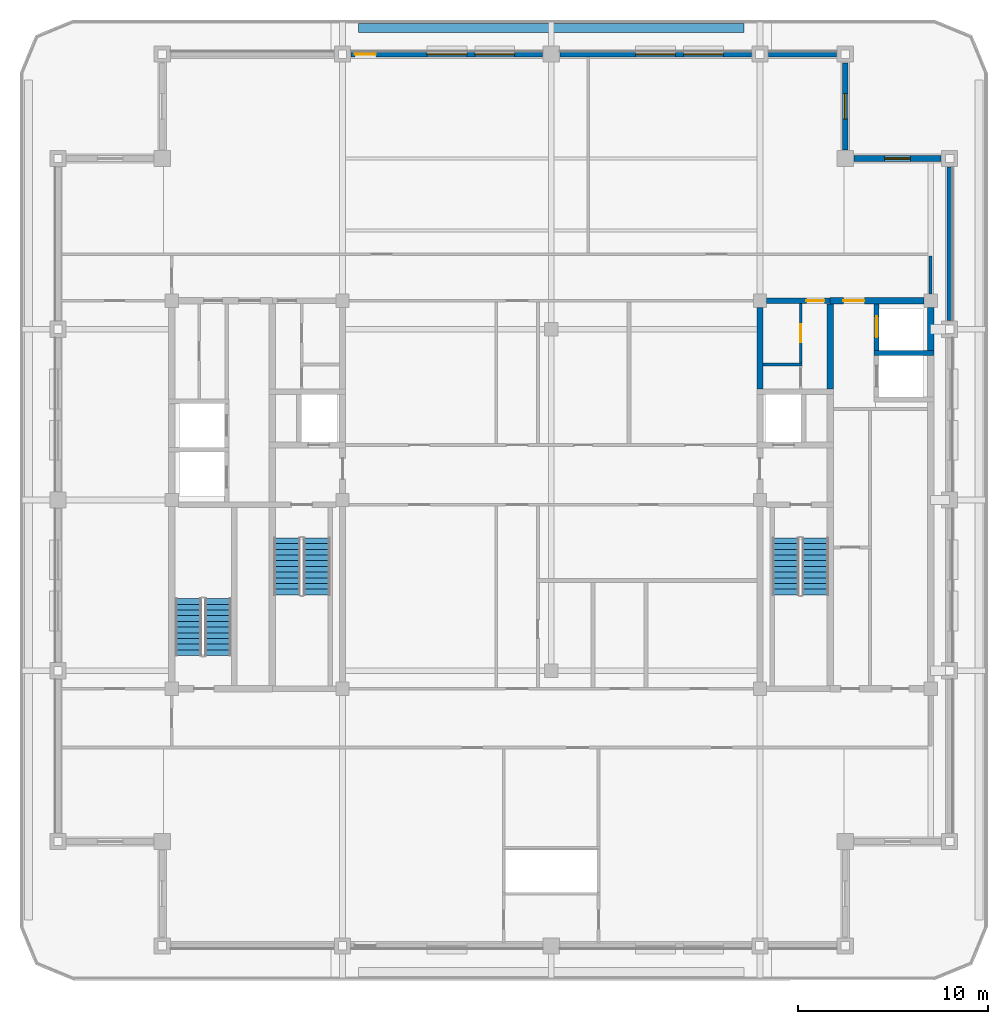
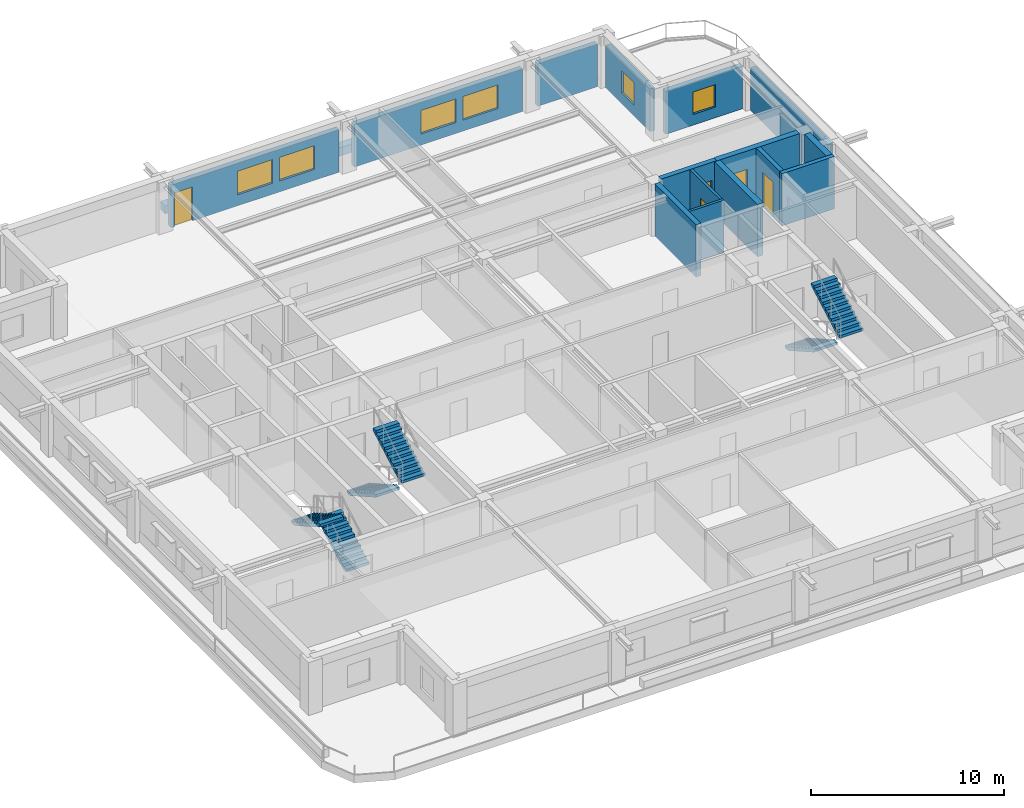
# One storey, part 6 of 11: 17 walls, 6 stair flights, 6 windows, 5 doors, 11 openings, 3 elements without a shape of their own.
"""IFC4 building model written with IfcOpenShell, lengths in metres."""

from ifc_helpers import new_model, si_unit, direction, frame, frame_2d, origin, place, context, subcontext, project, spatial, polyline, rectangle, outline, extrude, material, layer, layer_set, type_object, element, fill, aggregate, save


model = new_model("IFC4")

# Units and contexts
model_context = context("Model", 3, precision=1e-05, world=origin(), true_north=direction((0.0, 1.0)))
body_context = subcontext(model_context, "Body", "Model", "MODEL_VIEW")
ifc_project = project(units=[si_unit("LENGTHUNIT", "METRE"), si_unit("AREAUNIT", "SQUARE_METRE"), si_unit("VOLUMEUNIT", "CUBIC_METRE"), si_unit("PLANEANGLEUNIT", "RADIAN"), si_unit("MASSUNIT", "GRAM", prefix="KILO")], contexts=[model_context])

# Site, building, storey
site_placement = place(None, origin())
site = spatial("IfcSite", under=ifc_project, at=site_placement, CompositionType="ELEMENT")
building_placement = place(site_placement, origin())
building = spatial("IfcBuilding", under=site, at=building_placement, Name="Zulmaris Gate Convention Tower", CompositionType="ELEMENT")
storey_placement = place(building_placement, frame((0.0, 0.0, 274.320068359375)))
storey = spatial("IfcBuildingStorey", under=building, at=storey_placement, Name="L73", CompositionType="ELEMENT", Elevation=274.320068359375)

# Wall
ifc_material_1 = material(Name="Concrete C50/60", Category="concrete")
ifc_layer_1 = layer(ifc_material_1, 0.25, Name="Concrete C50/60")
ifc_layer_set_1 = layer_set([ifc_layer_1], Name="Concrete C50/60")
wall_type_1 = type_object("IfcWallType", Name="CORE-250", PredefinedType="SOLIDWALL", material=ifc_layer_set_1)
wall_1_placement = place(storey_placement, frame((17.02490234375, 7.75, 0.0), z_axis=(0.0, 0.0, 1.0), x_axis=(1.0, 0.0, 0.0)))
element("IfcWall", 1, at=wall_1_placement, inside=storey, type_object=wall_type_1, Name="WL-L73-014", PredefinedType="SOLIDWALL", context=body_context, shape_type="SweptSolid", body=[
    extrude(rectangle(XDim=3.150146484375, YDim=0.25, at=frame_2d((1.5751953125, 0.0))), origin(), (0.0, 0.0, 1.0), 3.31494140625),
])

# Wall, opening, door
wall_2_placement = place(storey_placement, frame((17.14990234375, 7.876953125, 0.0), z_axis=(0.0, 0.0, 1.0), x_axis=(0.0, 1.0, 0.0)))
wall_2 = element("IfcWall", 2, at=wall_2_placement, inside=storey, type_object=wall_type_1, Name="WL-L73-062", PredefinedType="SOLIDWALL", context=body_context, shape_type="SweptSolid", body=[
    extrude(rectangle(XDim=2.446044921875, YDim=0.25, at=frame_2d((1.22314453125, 0.0))), origin(), (0.0, 0.0, 1.0), 3.31494140625),
])
opening_1_placement = place(wall_2_placement, frame((0.697998046875, 0.0, 0.0)))
opening_1 = element("IfcOpeningElement", 3, at=opening_1_placement, cuts=wall_2, Name="Opening D-06", PredefinedType="OPENING", context=body_context, shape_type="SweptSolid", body=[
    extrude(rectangle(XDim=1.10009765625, YDim=2.199951171875, at=frame_2d((0.550048828125, 1.10009765625))), frame((0.0, 0.135009765625, 0.0), z_axis=(0.0, -1.0, 0.0), x_axis=(1.0, 0.0, 0.0)), (0.0, 0.0, 1.0), 0.27001953125),
])
ifc_material_2 = material(Name="Brushed Stainless Steel", Category="steel")
door_type_1 = type_object("IfcDoorType", Name="LD-1100", OperationType="NOTDEFINED", PredefinedType="DOOR", material=ifc_material_2)
door_1_placement = place(opening_1_placement, origin())
door_1 = element("IfcDoor", 4, at=door_1_placement, inside=storey, type_object=door_type_1, Name="L73 Lift Landing Door HP-02 20", OperationType="SLIDING_TO_RIGHT", OverallHeight=2.199951171875, OverallWidth=1.10009765625, PredefinedType="DOOR", context=body_context, shape_type="SweptSolid", body=[
    extrude(rectangle(XDim=1.10009765625, YDim=2.199951171875, at=frame_2d((0.550048828125, 1.10009765625))), frame((0.0, 0.02490234375, 0.0), z_axis=(0.0, -1.0, 0.0), x_axis=(1.0, 0.0, 0.0)), (0.0, 0.0, 1.0), 0.050048828125),
])
fill(opening_1, door_1)

ifc_layer_2 = layer(ifc_material_1, 0.300048828125, Name="Concrete C50/60")
ifc_layer_set_2 = layer_set([ifc_layer_2], Name="Concrete C50/60")
wall_type_2 = type_object("IfcWallType", Name="CORE-300", PredefinedType="SHEAR", material=ifc_layer_set_2)
wall_3_placement = place(storey_placement, frame((11.35400390625, 10.5, 0.0), z_axis=(0.0, 0.0, 1.0), x_axis=(1.0, 0.0, 0.0)))
wall_3 = element("IfcWall", 5, at=wall_3_placement, inside=storey, type_object=wall_type_2, Name="WL-L73-017", PredefinedType="SHEAR", context=body_context, shape_type="SweptSolid", body=[
    extrude(rectangle(XDim=3.345947265625, YDim=0.300048828125, at=frame_2d((1.6728515625, 0.0))), origin(), (0.0, 0.0, 1.0), 3.31494140625),
])
opening_2_placement = place(wall_3_placement, frame((2.091064453125, 0.0, 0.0)))
opening_2 = element("IfcOpeningElement", 6, at=opening_2_placement, cuts=wall_3, Name="Opening D-11", PredefinedType="OPENING", context=body_context, shape_type="SweptSolid", body=[
    extrude(rectangle(XDim=0.949951171875, YDim=2.14990234375, at=frame_2d((0.47509765625, 1.074951171875))), frame((0.0, 0.16015625, 0.0), z_axis=(0.0, -1.0, 0.0), x_axis=(1.0, 0.0, 0.0)), (0.0, 0.0, 1.0), 0.320068359375),
])
ifc_material_3 = material(Name="Fire-Rated Timber", Category="wood")
door_type_2 = type_object("IfcDoorType", Name="DR-950-FD", OperationType="NOTDEFINED", PredefinedType="DOOR", material=ifc_material_3)
door_2_placement = place(opening_2_placement, origin())
door_2 = element("IfcDoor", 7, at=door_2_placement, inside=storey, type_object=door_type_2, Name="L73 Core East Passage Door 10", OperationType="SINGLE_SWING_LEFT", OverallHeight=2.14990234375, OverallWidth=0.949951171875, PredefinedType="DOOR", context=body_context, shape_type="SweptSolid", body=[
    extrude(rectangle(XDim=0.949951171875, YDim=2.14990234375, at=frame_2d((0.47509765625, 1.074951171875))), frame((0.0, 0.02490234375, 0.0), z_axis=(0.0, -1.0, 0.0), x_axis=(1.0, 0.0, 0.0)), (0.0, 0.0, 1.0), 0.050048828125),
])
fill(opening_2, door_2)

# Wall
wall_4_placement = place(storey_placement, frame((11.0, 5.85205078125, 0.0), z_axis=(0.0, 0.0, 1.0), x_axis=(0.0, 1.0, 0.0)))
element("IfcWall", 8, at=wall_4_placement, inside=storey, type_object=wall_type_2, Name="WL-L73-054", PredefinedType="SHEAR", context=body_context, shape_type="SweptSolid", body=[
    extrude(rectangle(XDim=4.2939453125, YDim=0.300048828125, at=frame_2d((2.14697265625, 0.0))), origin(), (0.0, 0.0, 1.0), 3.31494140625),
])

# Wall, opening, door
ifc_material_4 = material(Name="Concrete C55/67", Category="concrete")
ifc_layer_3 = layer(ifc_material_4, 0.35009765625, Name="Concrete C55/67")
ifc_layer_set_3 = layer_set([ifc_layer_3], Name="Concrete C55/67")
wall_type_3 = type_object("IfcWallType", Name="CORE-350", PredefinedType="SHEAR", material=ifc_layer_set_3)
wall_5_placement = place(storey_placement, frame((14.699951171875, 10.5, 0.0), z_axis=(0.0, 0.0, 1.0), x_axis=(1.0, 0.0, 0.0)))
wall_5 = element("IfcWall", 9, at=wall_5_placement, inside=storey, type_object=wall_type_3, Name="WL-L73-018", PredefinedType="SHEAR", context=body_context, shape_type="SweptSolid", body=[
    extrude(rectangle(XDim=4.946044921875, YDim=0.35009765625, at=frame_2d((2.47314453125, 0.0))), origin(), (0.0, 0.0, 1.0), 3.31494140625),
])
opening_3_placement = place(wall_5_placement, frame((0.699951171875, 0.0, 0.0)))
opening_3 = element("IfcOpeningElement", 10, at=opening_3_placement, cuts=wall_5, Name="Opening D-08", PredefinedType="OPENING", context=body_context, shape_type="SweptSolid", body=[
    extrude(rectangle(XDim=1.10009765625, YDim=2.14990234375, at=frame_2d((0.550048828125, 1.074951171875))), frame((0.0, 0.18505859375, 0.0), z_axis=(0.0, -1.0, 0.0), x_axis=(1.0, 0.0, 0.0)), (0.0, 0.0, 1.0), 0.3701171875),
])
ifc_material_5 = material(Name="Fire-Rated Steel", Category="steel")
door_type_3 = type_object("IfcDoorType", Name="DR-1100-FD", OperationType="NOTDEFINED", PredefinedType="DOOR", material=ifc_material_5)
door_3_placement = place(opening_3_placement, origin())
door_3 = element("IfcDoor", 11, at=door_3_placement, inside=storey, type_object=door_type_3, Name="L73 High-Rise East Lift Lobby Door 21", OperationType="SINGLE_SWING_RIGHT", OverallHeight=2.14990234375, OverallWidth=1.10009765625, PredefinedType="DOOR", context=body_context, shape_type="SweptSolid", body=[
    extrude(rectangle(XDim=1.10009765625, YDim=2.14990234375, at=frame_2d((0.550048828125, 1.074951171875))), frame((0.0, 0.02490234375, 0.0), z_axis=(0.0, -1.0, 0.0), x_axis=(1.0, 0.0, 0.0)), (0.0, 0.0, 1.0), 0.050048828125),
])
fill(opening_3, door_3)

# Walls
wall_6_placement = place(storey_placement, frame((14.699951171875, 5.85205078125, 0.0), z_axis=(0.0, 0.0, 1.0), x_axis=(0.0, 1.0, 0.0)))
element("IfcWall", 12, at=wall_6_placement, inside=storey, type_object=wall_type_3, Name="WL-L73-060", PredefinedType="SHEAR", context=body_context, shape_type="SweptSolid", body=[
    extrude(rectangle(XDim=4.470947265625, YDim=0.35009765625, at=frame_2d((2.2353515625, 0.0))), origin(), (0.0, 0.0, 1.0), 3.31494140625),
])
wall_7_placement = place(storey_placement, frame((20.0, 7.876953125, 0.0), z_axis=(0.0, 0.0, 1.0), x_axis=(0.0, 1.0, 0.0)))
element("IfcWall", 13, at=wall_7_placement, inside=storey, type_object=wall_type_3, Name="WL-L73-065", PredefinedType="SHEAR", context=body_context, shape_type="SweptSolid", body=[
    extrude(rectangle(XDim=2.26904296875, YDim=0.35009765625, at=frame_2d((1.134521484375, 0.0))), origin(), (0.0, 0.0, 1.0), 3.31494140625),
])
ifc_material_6 = material(Name="Gypsum Metal Stud Partition")
ifc_layer_4 = layer(ifc_material_6, 0.14990234375, Name="Gypsum Metal Stud Partition")
ifc_layer_set_4 = layer_set([ifc_layer_4], Name="Gypsum Metal Stud Partition")
wall_type_4 = type_object("IfcWallType", Name="PART-150", PredefinedType="PARTITIONING", material=ifc_layer_set_4)
wall_8_placement = place(storey_placement, frame((11.153076171875, 7.14990234375, 0.0), z_axis=(0.0, 0.0, 1.0), x_axis=(1.0, 0.0, 0.0)))
element("IfcWall", 14, at=wall_8_placement, inside=storey, type_object=wall_type_4, Name="WL-L73-030", PredefinedType="PARTITIONING", context=body_context, shape_type="SweptSolid", body=[
    extrude(rectangle(XDim=2.072021484375, YDim=0.14990234375, at=frame_2d((1.0361328125, 0.0))), origin(), (0.0, 0.0, 1.0), 3.31494140625),
])

# Wall, opening, door
wall_9_placement = place(storey_placement, frame((13.14990234375, 7.22802734375, 0.0), z_axis=(0.0, 0.0, 1.0), x_axis=(0.0, 1.0, 0.0)))
wall_9 = element("IfcWall", 15, at=wall_9_placement, inside=storey, type_object=wall_type_4, Name="WL-L73-088", PredefinedType="PARTITIONING", context=body_context, shape_type="SweptSolid", body=[
    extrude(rectangle(XDim=3.118896484375, YDim=0.14990234375, at=frame_2d((1.5595703125, 0.0))), origin(), (0.0, 0.0, 1.0), 3.31494140625),
])
opening_4_placement = place(wall_9_placement, frame((1.096923828125, 0.0, 0.0)))
opening_4 = element("IfcOpeningElement", 16, at=opening_4_placement, cuts=wall_9, Name="Opening D-11", PredefinedType="OPENING", context=body_context, shape_type="SweptSolid", body=[
    extrude(rectangle(XDim=0.949951171875, YDim=2.14990234375, at=frame_2d((0.47509765625, 1.074951171875))), frame((0.0, 0.0849609375, 0.0), z_axis=(0.0, -1.0, 0.0), x_axis=(1.0, 0.0, 0.0)), (0.0, 0.0, 1.0), 0.169921875),
])
door_4_placement = place(opening_4_placement, origin())
door_4 = element("IfcDoor", 17, at=door_4_placement, inside=storey, type_object=door_type_2, Name="L73 Core Hygiene Store Door 12", OperationType="SINGLE_SWING_LEFT", OverallHeight=2.14990234375, OverallWidth=0.949951171875, PredefinedType="DOOR", context=body_context, shape_type="SweptSolid", body=[
    extrude(rectangle(XDim=0.949951171875, YDim=2.14990234375, at=frame_2d((0.47509765625, 1.074951171875))), frame((0.0, 0.02490234375, 0.0), z_axis=(0.0, -1.0, 0.0), x_axis=(1.0, 0.0, 0.0)), (0.0, 0.0, 1.0), 0.050048828125),
])
fill(opening_4, door_4)

# Walls
wall_10_placement = place(storey_placement, frame((20.0, 10.85595703125, 0.0), z_axis=(0.0, 0.0, 1.0), x_axis=(0.0, 1.0, 0.0)))
element("IfcWall", 18, at=wall_10_placement, inside=storey, type_object=wall_type_4, Name="WL-L73-092", PredefinedType="PARTITIONING", context=body_context, shape_type="SweptSolid", body=[
    extrude(rectangle(XDim=2.01611328125, YDim=0.14990234375, at=frame_2d((1.008056640625, 0.0))), origin(), (0.0, 0.0, 1.0), 2.905029296875),
])
ifc_material_7 = material(Name="Botanical Green Glazed Precast Concrete C40/50", Category="concrete")
ifc_layer_5 = layer(ifc_material_7, 0.419921875, Name="Botanical Green Glazed Precast Concrete C40/50")
ifc_layer_set_5 = layer_set([ifc_layer_5], Name="Botanical Green Glazed Precast Concrete C40/50")
wall_type_5 = type_object("IfcWallType", Name="PLANTER-CURB-200", PredefinedType="PARAPET", material=ifc_layer_set_5)
wall_11_placement = place(storey_placement, frame((-10.14990234375, 24.8798828125, -0.0400390625), z_axis=(0.0, 0.0, 1.0), x_axis=(1.0, 0.0, 0.0)))
element("IfcWall", 19, at=wall_11_placement, inside=storey, type_object=wall_type_5, Name="L73 Full-Length Balcony Tree Planter Trough", PredefinedType="PARAPET", context=body_context, shape_type="SweptSolid", body=[
    extrude(rectangle(XDim=20.2998046875, YDim=0.47998046875, at=frame_2d((10.14990234375, 0.0))), origin(), (0.0, 0.0, 1.0), 0.52001953125),
])

# Wall, opening, window
ifc_material_8 = material(Name="Precast concrete C40/50", Category="concrete")
ifc_layer_6 = layer(ifc_material_8, 0.300048828125, Name="Precast concrete C40/50")
ifc_layer_set_6 = layer_set([ifc_layer_6], Name="Precast concrete C40/50")
wall_type_6 = type_object("IfcWallType", Name="PRECAST-PIER-300", PredefinedType="STANDARD", material=ifc_layer_set_6)
wall_12_placement = place(storey_placement, frame((20.544921875, 18.0, 0.0), z_axis=(0.0, 0.0, 1.0), x_axis=(-1.0, 0.0, 0.0)))
wall_12 = element("IfcWall", 20, at=wall_12_placement, inside=storey, type_object=wall_type_6, Name="EW-L73-NOTCH-NE1_0", PredefinedType="STANDARD", context=body_context, shape_type="SweptSolid", body=[
    extrude(rectangle(XDim=4.58984375, YDim=0.300048828125, at=frame_2d((2.294921875, 0.0))), origin(), (0.0, 0.0, 1.0), 2.70703125),
])
opening_5_placement = place(wall_12_placement, frame((1.6201171875, 0.0, 0.679931640625)))
opening_5 = element("IfcOpeningElement", 21, at=opening_5_placement, cuts=wall_12, Name="Opening W-10", PredefinedType="OPENING", context=body_context, shape_type="SweptSolid", body=[
    extrude(rectangle(XDim=1.35009765625, YDim=1.419921875, at=frame_2d((0.675048828125, 0.7099609375))), frame((0.0, 0.16015625, 0.0), z_axis=(0.0, -1.0, 0.0), x_axis=(1.0, 0.0, 0.0)), (0.0, 0.0, 1.0), 0.320068359375),
])
ifc_material_9 = material(Name="Low-E Laminated Double Glazing in Aluminium Frame", Category="aluminium")
window_type_1 = type_object("IfcWindowType", Name="WIN-1350x2000", PartitioningType="SINGLE_PANEL", PredefinedType="WINDOW", material=ifc_material_9)
window_1_placement = place(opening_5_placement, origin())
window_1 = element("IfcWindow", 22, at=window_1_placement, inside=storey, type_object=window_type_1, Name="WN-EW-L73-NOTCH-NE1_0", OverallHeight=1.419921875, OverallWidth=1.35009765625, PartitioningType="SINGLE_PANEL", PredefinedType="WINDOW", context=body_context, shape_type="SweptSolid", body=[
    extrude(rectangle(XDim=1.35009765625, YDim=1.419921875, at=frame_2d((0.675048828125, 0.7099609375))), frame((0.0, 0.030029296875, 0.0), z_axis=(0.0, -1.0, 0.0), x_axis=(1.0, 0.0, 0.0)), (0.0, 0.0, 1.0), 0.06005859375),
])
fill(opening_5, window_1)

wall_13_placement = place(storey_placement, frame((15.5, 18.455078125, 0.0), z_axis=(0.0, 0.0, 1.0), x_axis=(0.0, 1.0, 0.0)))
wall_13 = element("IfcWall", 23, at=wall_13_placement, inside=storey, type_object=wall_type_6, Name="EW-L73-NOTCH-NE2_0", PredefinedType="STANDARD", context=body_context, shape_type="SweptSolid", body=[
    extrude(rectangle(XDim=4.58984375, YDim=0.300048828125, at=frame_2d((2.294921875, 0.0))), origin(), (0.0, 0.0, 1.0), 2.70703125),
])
opening_6_placement = place(wall_13_placement, frame((1.6201171875, 0.0, 0.679931640625)))
opening_6 = element("IfcOpeningElement", 24, at=opening_6_placement, cuts=wall_13, Name="Opening W-10", PredefinedType="OPENING", context=body_context, shape_type="SweptSolid", body=[
    extrude(rectangle(XDim=1.35009765625, YDim=1.419921875, at=frame_2d((0.675048828125, 0.7099609375))), frame((0.0, 0.16015625, 0.0), z_axis=(0.0, -1.0, 0.0), x_axis=(1.0, 0.0, 0.0)), (0.0, 0.0, 1.0), 0.320068359375),
])
window_2_placement = place(opening_6_placement, origin())
window_2 = element("IfcWindow", 25, at=window_2_placement, inside=storey, type_object=window_type_1, Name="WN-EW-L73-NOTCH-NE2_0", OverallHeight=1.419921875, OverallWidth=1.35009765625, PartitioningType="SINGLE_PANEL", PredefinedType="WINDOW", context=body_context, shape_type="SweptSolid", body=[
    extrude(rectangle(XDim=1.35009765625, YDim=1.419921875, at=frame_2d((0.675048828125, 0.7099609375))), frame((0.0, 0.030029296875, 0.0), z_axis=(0.0, -1.0, 0.0), x_axis=(1.0, 0.0, 0.0)), (0.0, 0.0, 1.0), 0.06005859375),
])
fill(opening_6, window_2)

# Wall, openings, door, windows
wall_14_placement = place(storey_placement, frame((-0.455078125, 23.5, 0.0), z_axis=(0.0, 0.0, 1.0), x_axis=(-1.0, 0.0, 0.0)))
wall_14 = element("IfcWall", 26, at=wall_14_placement, inside=storey, type_object=wall_type_6, Name="EW-L73-N-1_0", PredefinedType="STANDARD", context=body_context, shape_type="SweptSolid", body=[
    extrude(rectangle(XDim=10.08984375, YDim=0.300048828125, at=frame_2d((5.044921875, 0.0))), origin(), (0.0, 0.0, 1.0), 2.70703125),
])
opening_7_placement = place(wall_14_placement, frame((8.7900390625, 0.0, 0.0)))
opening_7 = element("IfcOpeningElement", 27, at=opening_7_placement, cuts=wall_14, Name="Opening D-04", PredefinedType="OPENING", context=body_context, shape_type="SweptSolid", body=[
    extrude(rectangle(XDim=1.10009765625, YDim=2.14990234375, at=frame_2d((0.550048828125, 1.074951171875))), frame((0.0, 0.16015625, 0.0), z_axis=(0.0, -1.0, 0.0), x_axis=(1.0, 0.0, 0.0)), (0.0, 0.0, 1.0), 0.320068359375),
])
opening_8_placement = place(wall_14_placement, frame((1.471923828125, 0.0, 0.699951171875)))
opening_8 = element("IfcOpeningElement", 28, at=opening_8_placement, cuts=wall_14, Name="Opening W-05", PredefinedType="OPENING", context=body_context, shape_type="SweptSolid", body=[
    extrude(rectangle(XDim=2.10009765625, YDim=1.5, at=frame_2d((1.050048828125, 0.75))), frame((0.0, 0.16015625, 0.0), z_axis=(0.0, -1.0, 0.0), x_axis=(1.0, 0.0, 0.0)), (0.0, 0.0, 1.0), 0.320068359375),
])
opening_9_placement = place(wall_14_placement, frame((3.9951171875, 0.0, 0.699951171875)))
opening_9 = element("IfcOpeningElement", 29, at=opening_9_placement, cuts=wall_14, Name="Opening W-05", PredefinedType="OPENING", context=body_context, shape_type="SweptSolid", body=[
    extrude(rectangle(XDim=2.10009765625, YDim=1.5, at=frame_2d((1.050048828125, 0.75))), frame((0.0, 0.16015625, 0.0), z_axis=(0.0, -1.0, 0.0), x_axis=(1.0, 0.0, 0.0)), (0.0, 0.0, 1.0), 0.320068359375),
])
ifc_material_10 = material(Name="Anodised Aluminium and Laminated Glass", Category="aluminium")
door_type_4 = type_object("IfcDoorType", Name="ED-1100", OperationType="SINGLE_SWING_RIGHT", PredefinedType="DOOR", material=ifc_material_10)
door_5_placement = place(opening_7_placement, origin())
door_5 = element("IfcDoor", 30, at=door_5_placement, inside=storey, type_object=door_type_4, Name="L73 N Planted Terrace Door", OperationType="SINGLE_SWING_LEFT", OverallHeight=2.14990234375, OverallWidth=1.10009765625, PredefinedType="DOOR", context=body_context, shape_type="SweptSolid", body=[
    extrude(rectangle(XDim=1.10009765625, YDim=2.14990234375, at=frame_2d((0.550048828125, 1.074951171875))), frame((0.0, 0.02490234375, 0.0), z_axis=(0.0, -1.0, 0.0), x_axis=(1.0, 0.0, 0.0)), (0.0, 0.0, 1.0), 0.050048828125),
])
fill(opening_7, door_5)
window_type_2 = type_object("IfcWindowType", Name="WIN-2100x2400", PartitioningType="SINGLE_PANEL", PredefinedType="WINDOW", material=ifc_material_9)
window_3_placement = place(opening_8_placement, origin())
window_3 = element("IfcWindow", 31, at=window_3_placement, inside=storey, type_object=window_type_2, Name="WN-EW-L73-N-1_0-1", OverallHeight=1.5, OverallWidth=2.10009765625, PartitioningType="SINGLE_PANEL", PredefinedType="WINDOW", context=body_context, shape_type="SweptSolid", body=[
    extrude(rectangle(XDim=2.10009765625, YDim=1.5, at=frame_2d((1.050048828125, 0.75))), frame((0.0, 0.030029296875, 0.0), z_axis=(0.0, -1.0, 0.0), x_axis=(1.0, 0.0, 0.0)), (0.0, 0.0, 1.0), 0.06005859375),
])
fill(opening_8, window_3)
window_4_placement = place(opening_9_placement, origin())
window_4 = element("IfcWindow", 32, at=window_4_placement, inside=storey, type_object=window_type_2, Name="WN-EW-L73-N-1_0-2", OverallHeight=1.5, OverallWidth=2.10009765625, PartitioningType="SINGLE_PANEL", PredefinedType="WINDOW", context=body_context, shape_type="SweptSolid", body=[
    extrude(rectangle(XDim=2.10009765625, YDim=1.5, at=frame_2d((1.050048828125, 0.75))), frame((0.0, 0.030029296875, 0.0), z_axis=(0.0, -1.0, 0.0), x_axis=(1.0, 0.0, 0.0)), (0.0, 0.0, 1.0), 0.06005859375),
])
fill(opening_9, window_4)

# Wall, openings, windows
wall_15_placement = place(storey_placement, frame((10.544921875, 23.5, 0.0), z_axis=(0.0, 0.0, 1.0), x_axis=(-1.0, 0.0, 0.0)))
wall_15 = element("IfcWall", 33, at=wall_15_placement, inside=storey, type_object=wall_type_6, Name="EW-L73-N-2_0", PredefinedType="STANDARD", context=body_context, shape_type="SweptSolid", body=[
    extrude(rectangle(XDim=10.08984375, YDim=0.300048828125, at=frame_2d((5.044921875, 0.0))), origin(), (0.0, 0.0, 1.0), 2.70703125),
])
opening_10_placement = place(wall_15_placement, frame((1.471923828125, 0.0, 0.699951171875)))
opening_10 = element("IfcOpeningElement", 34, at=opening_10_placement, cuts=wall_15, Name="Opening W-05", PredefinedType="OPENING", context=body_context, shape_type="SweptSolid", body=[
    extrude(rectangle(XDim=2.10009765625, YDim=1.5, at=frame_2d((1.050048828125, 0.75))), frame((0.0, 0.16015625, 0.0), z_axis=(0.0, -1.0, 0.0), x_axis=(1.0, 0.0, 0.0)), (0.0, 0.0, 1.0), 0.320068359375),
])
opening_11_placement = place(wall_15_placement, frame((3.9951171875, 0.0, 0.699951171875)))
opening_11 = element("IfcOpeningElement", 35, at=opening_11_placement, cuts=wall_15, Name="Opening W-05", PredefinedType="OPENING", context=body_context, shape_type="SweptSolid", body=[
    extrude(rectangle(XDim=2.10009765625, YDim=1.5, at=frame_2d((1.050048828125, 0.75))), frame((0.0, 0.16015625, 0.0), z_axis=(0.0, -1.0, 0.0), x_axis=(1.0, 0.0, 0.0)), (0.0, 0.0, 1.0), 0.320068359375),
])
window_5_placement = place(opening_10_placement, origin())
window_5 = element("IfcWindow", 36, at=window_5_placement, inside=storey, type_object=window_type_2, Name="WN-EW-L73-N-2_0-1", OverallHeight=1.5, OverallWidth=2.10009765625, PartitioningType="SINGLE_PANEL", PredefinedType="WINDOW", context=body_context, shape_type="SweptSolid", body=[
    extrude(rectangle(XDim=2.10009765625, YDim=1.5, at=frame_2d((1.050048828125, 0.75))), frame((0.0, 0.030029296875, 0.0), z_axis=(0.0, -1.0, 0.0), x_axis=(1.0, 0.0, 0.0)), (0.0, 0.0, 1.0), 0.06005859375),
])
fill(opening_10, window_5)
window_6_placement = place(opening_11_placement, origin())
window_6 = element("IfcWindow", 37, at=window_6_placement, inside=storey, type_object=window_type_2, Name="WN-EW-L73-N-2_0-2", OverallHeight=1.5, OverallWidth=2.10009765625, PartitioningType="SINGLE_PANEL", PredefinedType="WINDOW", context=body_context, shape_type="SweptSolid", body=[
    extrude(rectangle(XDim=2.10009765625, YDim=1.5, at=frame_2d((1.050048828125, 0.75))), frame((0.0, 0.030029296875, 0.0), z_axis=(0.0, -1.0, 0.0), x_axis=(1.0, 0.0, 0.0)), (0.0, 0.0, 1.0), 0.06005859375),
])
fill(opening_11, window_6)

# Walls
wall_16_placement = place(storey_placement, frame((15.044921875, 23.5, 0.0), z_axis=(0.0, 0.0, 1.0), x_axis=(-1.0, 0.0, 0.0)))
element("IfcWall", 38, at=wall_16_placement, inside=storey, type_object=wall_type_6, Name="EW-L73-N-3_0", PredefinedType="STANDARD", context=body_context, shape_type="SweptSolid", body=[
    extrude(rectangle(XDim=3.58984375, YDim=0.300048828125, at=frame_2d((1.794921875, 0.0))), origin(), (0.0, 0.0, 1.0), 2.70703125),
])
wall_17_placement = place(storey_placement, frame((21.0, 9.455078125, 0.0), z_axis=(0.0, 0.0, 1.0), x_axis=(0.0, 1.0, 0.0)))
element("IfcWall", 39, at=wall_17_placement, inside=storey, type_object=wall_type_6, Name="EW-L73-E-3_0", PredefinedType="STANDARD", context=body_context, shape_type="SweptSolid", body=[
    extrude(rectangle(XDim=8.08984375, YDim=0.300048828125, at=frame_2d((4.044921875, 0.0))), origin(), (0.0, 0.0, 1.0), 2.70703125),
])

# Stair, stair flights
ifc_material_11 = material(Name="Concrete C45/55", Category="concrete")
stair_type = type_object("IfcStairType", Name="ST-CORE-DOGLEG", PredefinedType="HALF_TURN_STAIR", material=ifc_material_11)
stair_1_placement = place(storey_placement, origin())
stair_1 = element("IfcStair", 40, at=stair_1_placement, inside=storey, type_object=stair_type, Name="L73 Core Exit Stair ST-1", PredefinedType="HALF_TURN_STAIR")
ifc_layer_7 = layer(ifc_material_11, 0.14990234375, Name="Concrete C45/55")
ifc_layer_set_7 = layer_set([ifc_layer_7], Name="Concrete C45/55")
stair_flight_type = type_object("IfcStairFlightType", Name="STF-RC150", PredefinedType="STRAIGHT", material=ifc_layer_set_7)
stair_flight_1_placement = place(storey_placement, frame((-13.919921875, -2.0, 0.0), z_axis=(0.0, 0.0, 1.0), x_axis=(0.0, -1.0, 0.0)))
stair_flight_1 = element("IfcStairFlight", 41, at=stair_flight_1_placement, type_object=stair_flight_type, Name="ST-1 flight 1", NumberOfRisers=11, NumberOfTreads=10, PredefinedType="STRAIGHT", RiserHeight=0.17, TreadLength=0.3, context=body_context, shape_type="SweptSolid", body=[
    extrude(outline(polyline([(0.0, 0.0), (0.0, 0.169921875), (0.300048828125, 0.169921875), (0.300048828125, 0.340087890625), (0.60009765625, 0.340087890625), (0.60009765625, 0.510009765625), (0.89990234375, 0.510009765625), (0.89990234375, 0.679931640625), (1.199951171875, 0.679931640625), (1.199951171875, 0.85009765625), (1.5, 0.85009765625), (1.5, 1.02001953125), (1.800048828125, 1.02001953125), (1.800048828125, 1.18994140625), (2.10009765625, 1.18994140625), (2.10009765625, 1.360107421875), (2.39990234375, 1.360107421875), (2.39990234375, 1.530029296875), (2.699951171875, 1.530029296875), (2.699951171875, 1.699951171875), (3.0, 1.699951171875), (3.0, 1.8701171875), (3.0, 1.527587890625), (0.303955078125, 0.0), (0.0, 0.0)])), frame((0.0, 0.699951171875, 0.0), z_axis=(0.0, -1.0, 0.0), x_axis=(1.0, 0.0, 0.0)), (0.0, 0.0, 1.0), 1.39990234375),
])
stair_flight_2_placement = place(storey_placement, frame((-12.360107421875, -5.0, 1.8701171875), z_axis=(0.0, 0.0, 1.0), x_axis=(0.0, 1.0, 0.0)))
stair_flight_2 = element("IfcStairFlight", 42, at=stair_flight_2_placement, type_object=stair_flight_type, Name="ST-1 flight 2", NumberOfRisers=11, NumberOfTreads=10, PredefinedType="STRAIGHT", RiserHeight=0.17, TreadLength=0.3, context=body_context, shape_type="SweptSolid", body=[
    extrude(outline(polyline([(0.0, 0.0), (0.0, 0.169921875), (0.300048828125, 0.169921875), (0.300048828125, 0.340087890625), (0.60009765625, 0.340087890625), (0.60009765625, 0.510009765625), (0.89990234375, 0.510009765625), (0.89990234375, 0.679931640625), (1.199951171875, 0.679931640625), (1.199951171875, 0.85009765625), (1.5, 0.85009765625), (1.5, 1.02001953125), (1.800048828125, 1.02001953125), (1.800048828125, 1.18994140625), (2.10009765625, 1.18994140625), (2.10009765625, 1.360107421875), (2.39990234375, 1.360107421875), (2.39990234375, 1.530029296875), (2.699951171875, 1.530029296875), (2.699951171875, 1.699951171875), (3.0, 1.699951171875), (3.0, 1.8701171875), (3.0, 1.527587890625), (0.303955078125, 0.0), (0.0, 0.0)])), frame((0.0, 0.699951171875, 0.0), z_axis=(0.0, -1.0, 0.0), x_axis=(1.0, 0.0, 0.0)), (0.0, 0.0, 1.0), 1.39990234375),
])
aggregate(stair_1, [stair_flight_1, stair_flight_2])

stair_2_placement = place(storey_placement, origin())
stair_2 = element("IfcStair", 43, at=stair_2_placement, inside=storey, type_object=stair_type, Name="L73 Core Exit Stair ST-2", PredefinedType="HALF_TURN_STAIR")
stair_flight_3_placement = place(storey_placement, frame((12.360107421875, -2.0, 0.0), z_axis=(0.0, 0.0, 1.0), x_axis=(0.0, -1.0, 0.0)))
stair_flight_3 = element("IfcStairFlight", 44, at=stair_flight_3_placement, type_object=stair_flight_type, Name="ST-2 flight 1", NumberOfRisers=11, NumberOfTreads=10, PredefinedType="STRAIGHT", RiserHeight=0.17, TreadLength=0.3, context=body_context, shape_type="SweptSolid", body=[
    extrude(outline(polyline([(0.0, 0.0), (0.0, 0.169921875), (0.300048828125, 0.169921875), (0.300048828125, 0.340087890625), (0.60009765625, 0.340087890625), (0.60009765625, 0.510009765625), (0.89990234375, 0.510009765625), (0.89990234375, 0.679931640625), (1.199951171875, 0.679931640625), (1.199951171875, 0.85009765625), (1.5, 0.85009765625), (1.5, 1.02001953125), (1.800048828125, 1.02001953125), (1.800048828125, 1.18994140625), (2.10009765625, 1.18994140625), (2.10009765625, 1.360107421875), (2.39990234375, 1.360107421875), (2.39990234375, 1.530029296875), (2.699951171875, 1.530029296875), (2.699951171875, 1.699951171875), (3.0, 1.699951171875), (3.0, 1.8701171875), (3.0, 1.527587890625), (0.303955078125, 0.0), (0.0, 0.0)])), frame((0.0, 0.699951171875, 0.0), z_axis=(0.0, -1.0, 0.0), x_axis=(1.0, 0.0, 0.0)), (0.0, 0.0, 1.0), 1.39990234375),
])
stair_flight_4_placement = place(storey_placement, frame((13.919921875, -5.0, 1.8701171875), z_axis=(0.0, 0.0, 1.0), x_axis=(0.0, 1.0, 0.0)))
stair_flight_4 = element("IfcStairFlight", 45, at=stair_flight_4_placement, type_object=stair_flight_type, Name="ST-2 flight 2", NumberOfRisers=11, NumberOfTreads=10, PredefinedType="STRAIGHT", RiserHeight=0.17, TreadLength=0.3, context=body_context, shape_type="SweptSolid", body=[
    extrude(outline(polyline([(0.0, 0.0), (0.0, 0.169921875), (0.300048828125, 0.169921875), (0.300048828125, 0.340087890625), (0.60009765625, 0.340087890625), (0.60009765625, 0.510009765625), (0.89990234375, 0.510009765625), (0.89990234375, 0.679931640625), (1.199951171875, 0.679931640625), (1.199951171875, 0.85009765625), (1.5, 0.85009765625), (1.5, 1.02001953125), (1.800048828125, 1.02001953125), (1.800048828125, 1.18994140625), (2.10009765625, 1.18994140625), (2.10009765625, 1.360107421875), (2.39990234375, 1.360107421875), (2.39990234375, 1.530029296875), (2.699951171875, 1.530029296875), (2.699951171875, 1.699951171875), (3.0, 1.699951171875), (3.0, 1.8701171875), (3.0, 1.527587890625), (0.303955078125, 0.0), (0.0, 0.0)])), frame((0.0, 0.699951171875, 0.0), z_axis=(0.0, -1.0, 0.0), x_axis=(1.0, 0.0, 0.0)), (0.0, 0.0, 1.0), 1.39990234375),
])
aggregate(stair_2, [stair_flight_3, stair_flight_4])

stair_3_placement = place(storey_placement, origin())
stair_3 = element("IfcStair", 46, at=stair_3_placement, inside=storey, type_object=stair_type, Name="L73 Core Exit Stair ST-3", PredefinedType="HALF_TURN_STAIR")
stair_flight_5_placement = place(storey_placement, frame((-17.56005859375, -8.199951171875, 0.0), z_axis=(0.0, 0.0, 1.0), x_axis=(0.0, 1.0, 0.0)))
stair_flight_5 = element("IfcStairFlight", 47, at=stair_flight_5_placement, type_object=stair_flight_type, Name="ST-3 flight 1", NumberOfRisers=11, NumberOfTreads=10, PredefinedType="STRAIGHT", RiserHeight=0.17, TreadLength=0.3, context=body_context, shape_type="SweptSolid", body=[
    extrude(outline(polyline([(0.0, 0.0), (0.0, 0.169921875), (0.300048828125, 0.169921875), (0.300048828125, 0.340087890625), (0.60009765625, 0.340087890625), (0.60009765625, 0.510009765625), (0.89990234375, 0.510009765625), (0.89990234375, 0.679931640625), (1.199951171875, 0.679931640625), (1.199951171875, 0.85009765625), (1.5, 0.85009765625), (1.5, 1.02001953125), (1.800048828125, 1.02001953125), (1.800048828125, 1.18994140625), (2.10009765625, 1.18994140625), (2.10009765625, 1.360107421875), (2.39990234375, 1.360107421875), (2.39990234375, 1.530029296875), (2.699951171875, 1.530029296875), (2.699951171875, 1.699951171875), (3.0, 1.699951171875), (3.0, 1.8701171875), (3.0, 1.527587890625), (0.303955078125, 0.0), (0.0, 0.0)])), frame((0.0, 0.699951171875, 0.0), z_axis=(0.0, -1.0, 0.0), x_axis=(1.0, 0.0, 0.0)), (0.0, 0.0, 1.0), 1.39990234375),
])
stair_flight_6_placement = place(storey_placement, frame((-19.1201171875, -5.199951171875, 1.8701171875), z_axis=(0.0, 0.0, 1.0), x_axis=(0.0, -1.0, 0.0)))
stair_flight_6 = element("IfcStairFlight", 48, at=stair_flight_6_placement, type_object=stair_flight_type, Name="ST-3 flight 2", NumberOfRisers=11, NumberOfTreads=10, PredefinedType="STRAIGHT", RiserHeight=0.17, TreadLength=0.3, context=body_context, shape_type="SweptSolid", body=[
    extrude(outline(polyline([(0.0, 0.0), (0.0, 0.169921875), (0.300048828125, 0.169921875), (0.300048828125, 0.340087890625), (0.60009765625, 0.340087890625), (0.60009765625, 0.510009765625), (0.89990234375, 0.510009765625), (0.89990234375, 0.679931640625), (1.199951171875, 0.679931640625), (1.199951171875, 0.85009765625), (1.5, 0.85009765625), (1.5, 1.02001953125), (1.800048828125, 1.02001953125), (1.800048828125, 1.18994140625), (2.10009765625, 1.18994140625), (2.10009765625, 1.360107421875), (2.39990234375, 1.360107421875), (2.39990234375, 1.530029296875), (2.699951171875, 1.530029296875), (2.699951171875, 1.699951171875), (3.0, 1.699951171875), (3.0, 1.8701171875), (3.0, 1.527587890625), (0.303955078125, 0.0), (0.0, 0.0)])), frame((0.0, 0.699951171875, 0.0), z_axis=(0.0, -1.0, 0.0), x_axis=(1.0, 0.0, 0.0)), (0.0, 0.0, 1.0), 1.39990234375),
])
aggregate(stair_3, [stair_flight_5, stair_flight_6])

save(model, "model.ifc")
